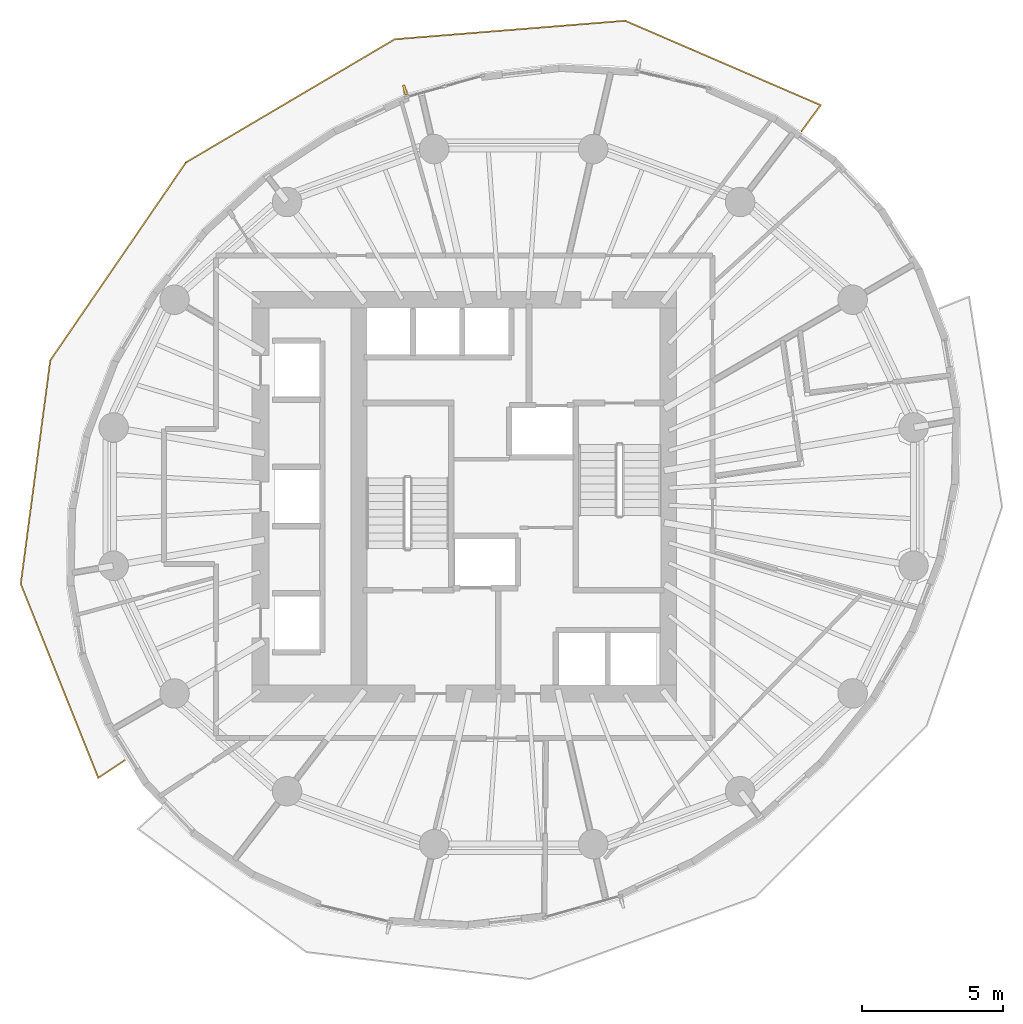
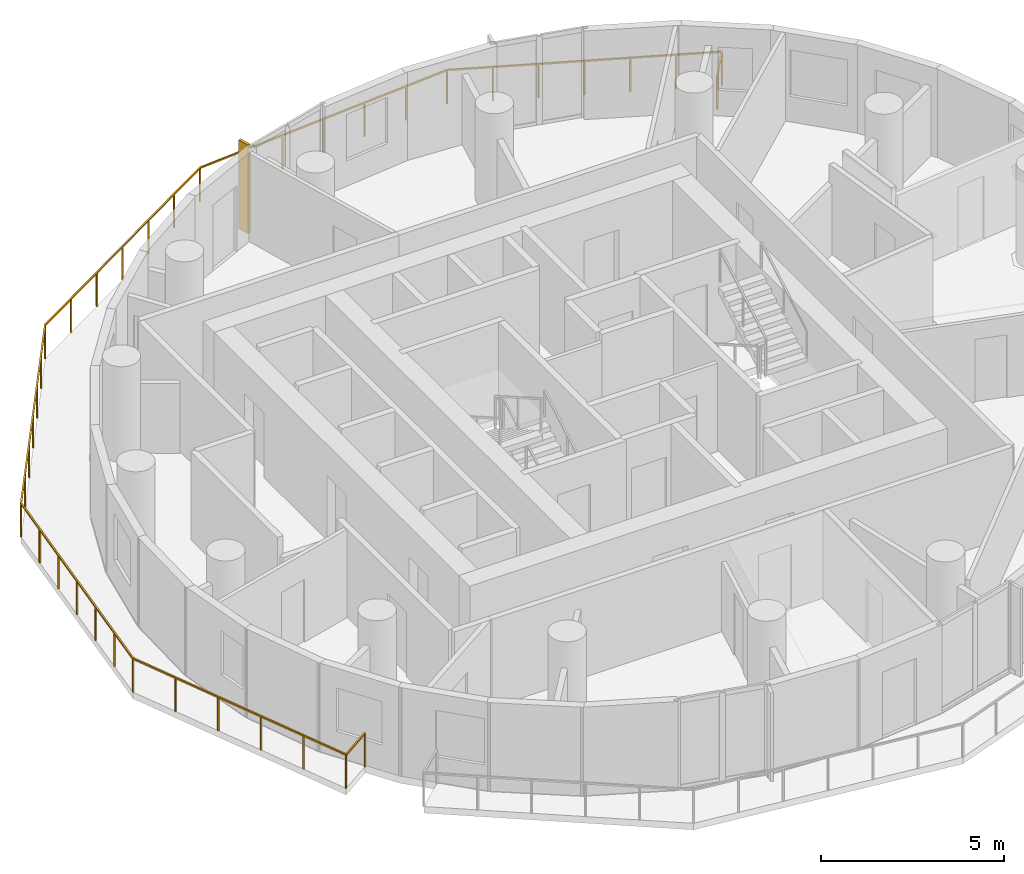
# One storey, part 12 of 13: 1 railing, 1 shading device.
"""IFC4 building model written with IfcOpenShell, lengths in metres."""

from ifc_helpers import new_model, si_unit, direction, frame, origin, origin_2d, place, context, subcontext, project, spatial, rectangle, extrude, material, layer, layer_set, type_object, element, save


model = new_model("IFC4")

# Units and contexts
model_context = context("Model", 3, precision=1e-05, world=origin(), true_north=direction((0.0, 1.0)))
body_context = subcontext(model_context, "Body", "Model", "MODEL_VIEW")
ifc_project = project(units=[si_unit("LENGTHUNIT", "METRE"), si_unit("AREAUNIT", "SQUARE_METRE"), si_unit("VOLUMEUNIT", "CUBIC_METRE"), si_unit("PLANEANGLEUNIT", "RADIAN"), si_unit("MASSUNIT", "GRAM", prefix="KILO")], contexts=[model_context])

# Site, building, storey
site_placement = place(None, origin())
site = spatial("IfcSite", under=ifc_project, at=site_placement, CompositionType="ELEMENT")
building_placement = place(site_placement, origin())
building = spatial("IfcBuilding", under=site, at=building_placement, Name="Veldorim Arch Residences", CompositionType="ELEMENT")
storey_placement = place(building_placement, frame((0.0, 0.0, 152.159912109375)))
storey = spatial("IfcBuildingStorey", under=building, at=storey_placement, Name="L45", CompositionType="ELEMENT", Elevation=152.159912109375)

# Railing
ifc_material_1 = material(Name="Aluminium", Category="aluminium")
railing_type = type_object("IfcRailingType", Name="Balcony & Terrace Laminated Glass Balustrade 1150", PredefinedType="BALUSTRADE", material=ifc_material_1)
railing_placement = place(storey_placement, frame((42.242431640625, 36.993896484375, 0.0)))
element("IfcRailing", 1, at=railing_placement, inside=storey, type_object=railing_type, Name="L45 crescent balcony safety balustrade A", PredefinedType="BALUSTRADE", context=body_context, shape_type="SweptSolid", body=[
    extrude(rectangle(XDim=0.048095703125, YDim=0.048095703125, at=origin_2d()), frame((0.0, 0.0, 1.1259765625), z_axis=(0.591372865869, 0.806398247465, 0.0), x_axis=(-0.806398247465, 0.591372865869, 0.0)), (0.0, 0.0, 1.0), 1.150146484375),
    extrude(rectangle(XDim=0.048095703125, YDim=0.048095703125, at=origin_2d()), frame((0.68017578125, 0.927490234375, 1.1259765625), z_axis=(-0.918086609005, 0.396379841018, 0.0), x_axis=(-0.396379841018, -0.918086609005, 0.0)), (0.0, 0.0, 1.0), 7.575927734375),
    extrude(rectangle(XDim=0.048095703125, YDim=0.048095703125, at=origin_2d()), frame((-6.275146484375, 3.930419921875, 1.1259765625), z_axis=(-0.996791721429, -0.080039140996, 0.0), x_axis=(0.080039140996, -0.996791721429, 0.0)), (0.0, 0.0, 1.0), 8.220458984375),
    extrude(rectangle(XDim=0.048095703125, YDim=0.048095703125, at=origin_2d()), frame((-14.46923828125, 3.2724609375, 1.1259765625), z_axis=(-0.861252156609, -0.508177845579, 0.0), x_axis=(0.508177845579, -0.861252156609, 0.0)), (0.0, 0.0, 1.0), 8.62255859375),
    extrude(rectangle(XDim=0.048095703125, YDim=0.048095703125, at=origin_2d()), frame((-21.8955078125, -1.109375, 1.1259765625), z_axis=(-0.565356542033, -0.824846640522, 0.0), x_axis=(0.824846640522, -0.565356542033, 0.0)), (0.0, 0.0, 1.0), 8.533447265625),
    extrude(rectangle(XDim=0.048095703125, YDim=0.048095703125, at=origin_2d()), frame((-26.719970703125, -8.148193359375, 1.1259765625), z_axis=(-0.130929336891, -0.991391702982, 0.0), x_axis=(0.991391702982, -0.130929336891, 0.0)), (0.0, 0.0, 1.0), 8.02001953125),
    extrude(rectangle(XDim=0.048095703125, YDim=0.048095703125, at=origin_2d()), frame((-27.77001953125, -16.09912109375, 1.1259765625), z_axis=(0.371181027315, -0.928560523047, 0.0), x_axis=(0.928560523047, 0.371181027315, 0.0)), (0.0, 0.0, 1.0), 7.42919921875),
    extrude(rectangle(XDim=0.048095703125, YDim=0.048095703125, at=origin_2d()), frame((-25.012451171875, -22.99755859375, 1.1259765625), z_axis=(0.832865944079, 0.553474768344, 0.0), x_axis=(-0.553474768344, 0.832865944079, 0.0)), (0.0, 0.0, 1.0), 1.14990234375),
    extrude(rectangle(XDim=0.0419921875, YDim=0.0419921875, at=origin_2d()), origin(), (0.0, 0.0, 1.0), 1.101806640625),
    extrude(rectangle(XDim=0.0419921875, YDim=0.0419921875, at=origin_2d()), frame((0.68017578125, 0.927490234375, 0.0)), (0.0, 0.0, 1.0), 1.101806640625),
    extrude(rectangle(XDim=0.0419921875, YDim=0.0419921875, at=origin_2d()), frame((-0.47900390625, 1.427978515625, 0.0)), (0.0, 0.0, 1.0), 1.101806640625),
    extrude(rectangle(XDim=0.0419921875, YDim=0.0419921875, at=origin_2d()), frame((-1.63818359375, 1.928466796875, 0.0)), (0.0, 0.0, 1.0), 1.101806640625),
    extrude(rectangle(XDim=0.0419921875, YDim=0.0419921875, at=origin_2d()), frame((-2.79736328125, 2.428955078125, 0.0)), (0.0, 0.0, 1.0), 1.101806640625),
    extrude(rectangle(XDim=0.0419921875, YDim=0.0419921875, at=origin_2d()), frame((-3.956787109375, 2.929443359375, 0.0)), (0.0, 0.0, 1.0), 1.101806640625),
    extrude(rectangle(XDim=0.0419921875, YDim=0.0419921875, at=origin_2d()), frame((-5.115966796875, 3.429931640625, 0.0)), (0.0, 0.0, 1.0), 1.101806640625),
    extrude(rectangle(XDim=0.0419921875, YDim=0.0419921875, at=origin_2d()), frame((-6.275146484375, 3.930419921875, 0.0)), (0.0, 0.0, 1.0), 1.101806640625),
    extrude(rectangle(XDim=0.0419921875, YDim=0.0419921875, at=origin_2d()), frame((-7.640869140625, 3.82080078125, 0.0)), (0.0, 0.0, 1.0), 1.101806640625),
    extrude(rectangle(XDim=0.0419921875, YDim=0.0419921875, at=origin_2d()), frame((-9.006591796875, 3.711181640625, 0.0)), (0.0, 0.0, 1.0), 1.101806640625),
    extrude(rectangle(XDim=0.0419921875, YDim=0.0419921875, at=origin_2d()), frame((-10.3720703125, 3.6015625, 0.0)), (0.0, 0.0, 1.0), 1.101806640625),
    extrude(rectangle(XDim=0.0419921875, YDim=0.0419921875, at=origin_2d()), frame((-11.73779296875, 3.49169921875, 0.0)), (0.0, 0.0, 1.0), 1.101806640625),
    extrude(rectangle(XDim=0.0419921875, YDim=0.0419921875, at=origin_2d()), frame((-13.103515625, 3.382080078125, 0.0)), (0.0, 0.0, 1.0), 1.101806640625),
    extrude(rectangle(XDim=0.0419921875, YDim=0.0419921875, at=origin_2d()), frame((-14.46923828125, 3.2724609375, 0.0)), (0.0, 0.0, 1.0), 1.101806640625),
    extrude(rectangle(XDim=0.0419921875, YDim=0.0419921875, at=origin_2d()), frame((-15.70703125, 2.542236328125, 0.0)), (0.0, 0.0, 1.0), 1.101806640625),
    extrude(rectangle(XDim=0.0419921875, YDim=0.0419921875, at=origin_2d()), frame((-16.944580078125, 1.811767578125, 0.0)), (0.0, 0.0, 1.0), 1.101806640625),
    extrude(rectangle(XDim=0.0419921875, YDim=0.0419921875, at=origin_2d()), frame((-18.182373046875, 1.08154296875, 0.0)), (0.0, 0.0, 1.0), 1.101806640625),
    extrude(rectangle(XDim=0.0419921875, YDim=0.0419921875, at=origin_2d()), frame((-19.420166015625, 0.351318359375, 0.0)), (0.0, 0.0, 1.0), 1.101806640625),
    extrude(rectangle(XDim=0.0419921875, YDim=0.0419921875, at=origin_2d()), frame((-20.65771484375, -0.379150390625, 0.0)), (0.0, 0.0, 1.0), 1.101806640625),
    extrude(rectangle(XDim=0.0419921875, YDim=0.0419921875, at=origin_2d()), frame((-21.8955078125, -1.109375, 0.0)), (0.0, 0.0, 1.0), 1.101806640625),
    extrude(rectangle(XDim=0.0419921875, YDim=0.0419921875, at=origin_2d()), frame((-22.69970703125, -2.282470703125, 0.0)), (0.0, 0.0, 1.0), 1.101806640625),
    extrude(rectangle(XDim=0.0419921875, YDim=0.0419921875, at=origin_2d()), frame((-23.503662109375, -3.45556640625, 0.0)), (0.0, 0.0, 1.0), 1.101806640625),
    extrude(rectangle(XDim=0.0419921875, YDim=0.0419921875, at=origin_2d()), frame((-24.3076171875, -4.62890625, 0.0)), (0.0, 0.0, 1.0), 1.101806640625),
    extrude(rectangle(XDim=0.0419921875, YDim=0.0419921875, at=origin_2d()), frame((-25.11181640625, -5.802001953125, 0.0)), (0.0, 0.0, 1.0), 1.101806640625),
    extrude(rectangle(XDim=0.0419921875, YDim=0.0419921875, at=origin_2d()), frame((-25.916015625, -6.97509765625, 0.0)), (0.0, 0.0, 1.0), 1.101806640625),
    extrude(rectangle(XDim=0.0419921875, YDim=0.0419921875, at=origin_2d()), frame((-26.719970703125, -8.148193359375, 0.0)), (0.0, 0.0, 1.0), 1.101806640625),
    extrude(rectangle(XDim=0.0419921875, YDim=0.0419921875, at=origin_2d()), frame((-26.89501953125, -9.473388671875, 0.0)), (0.0, 0.0, 1.0), 1.101806640625),
    extrude(rectangle(XDim=0.0419921875, YDim=0.0419921875, at=origin_2d()), frame((-27.070068359375, -10.798583984375, 0.0)), (0.0, 0.0, 1.0), 1.101806640625),
    extrude(rectangle(XDim=0.0419921875, YDim=0.0419921875, at=origin_2d()), frame((-27.2451171875, -12.12353515625, 0.0)), (0.0, 0.0, 1.0), 1.101806640625),
    extrude(rectangle(XDim=0.0419921875, YDim=0.0419921875, at=origin_2d()), frame((-27.419921875, -13.44873046875, 0.0)), (0.0, 0.0, 1.0), 1.101806640625),
    extrude(rectangle(XDim=0.0419921875, YDim=0.0419921875, at=origin_2d()), frame((-27.594970703125, -14.77392578125, 0.0)), (0.0, 0.0, 1.0), 1.101806640625),
    extrude(rectangle(XDim=0.0419921875, YDim=0.0419921875, at=origin_2d()), frame((-27.77001953125, -16.09912109375, 0.0)), (0.0, 0.0, 1.0), 1.101806640625),
    extrude(rectangle(XDim=0.0419921875, YDim=0.0419921875, at=origin_2d()), frame((-27.218505859375, -17.478759765625, 0.0)), (0.0, 0.0, 1.0), 1.101806640625),
    extrude(rectangle(XDim=0.0419921875, YDim=0.0419921875, at=origin_2d()), frame((-26.6669921875, -18.8583984375, 0.0)), (0.0, 0.0, 1.0), 1.101806640625),
    extrude(rectangle(XDim=0.0419921875, YDim=0.0419921875, at=origin_2d()), frame((-26.115478515625, -20.23828125, 0.0)), (0.0, 0.0, 1.0), 1.101806640625),
    extrude(rectangle(XDim=0.0419921875, YDim=0.0419921875, at=origin_2d()), frame((-25.56396484375, -21.617919921875, 0.0)), (0.0, 0.0, 1.0), 1.101806640625),
    extrude(rectangle(XDim=0.0419921875, YDim=0.0419921875, at=origin_2d()), frame((-25.012451171875, -22.99755859375, 0.0)), (0.0, 0.0, 1.0), 1.101806640625),
    extrude(rectangle(XDim=0.0419921875, YDim=0.0419921875, at=origin_2d()), frame((-24.0546875, -22.361083984375, 0.0)), (0.0, 0.0, 1.0), 1.101806640625),
])

# Shading device
ifc_material_2 = material(Name="Terracotta Ceramic", Category="masonry")
ifc_layer = layer(ifc_material_2, 0.090087890625, Name="Vertical Extruded Terracotta Baguette Sun-Shading Fin")
ifc_layer_set = layer_set([ifc_layer], Name="Terracotta Ceramic")
shading_device_type = type_object("IfcShadingDeviceType", Name="Vertical Extruded Terracotta Baguette Sun-Shading Fin", PredefinedType="USERDEFINED", material=ifc_layer_set)
shading_device_placement = place(storey_placement, frame((28.13671875, 38.4599609375, 0.0), z_axis=(0.0, 0.0, 1.0), x_axis=(0.962549928407, 0.271104473079, 0.0)))
element("IfcShadingDevice", 2, at=shading_device_placement, inside=storey, type_object=shading_device_type, Name="L45 vertical terracotta sun-shading fin 07", ObjectType="FIN", PredefinedType="USERDEFINED", context=body_context, shape_type="SweptSolid", body=[
    extrude(rectangle(XDim=0.090087890625, YDim=0.360107421875, at=origin_2d()), origin(), (0.0, 0.0, 1.0), 2.9599609375),
])

save(model, "model.ifc")
